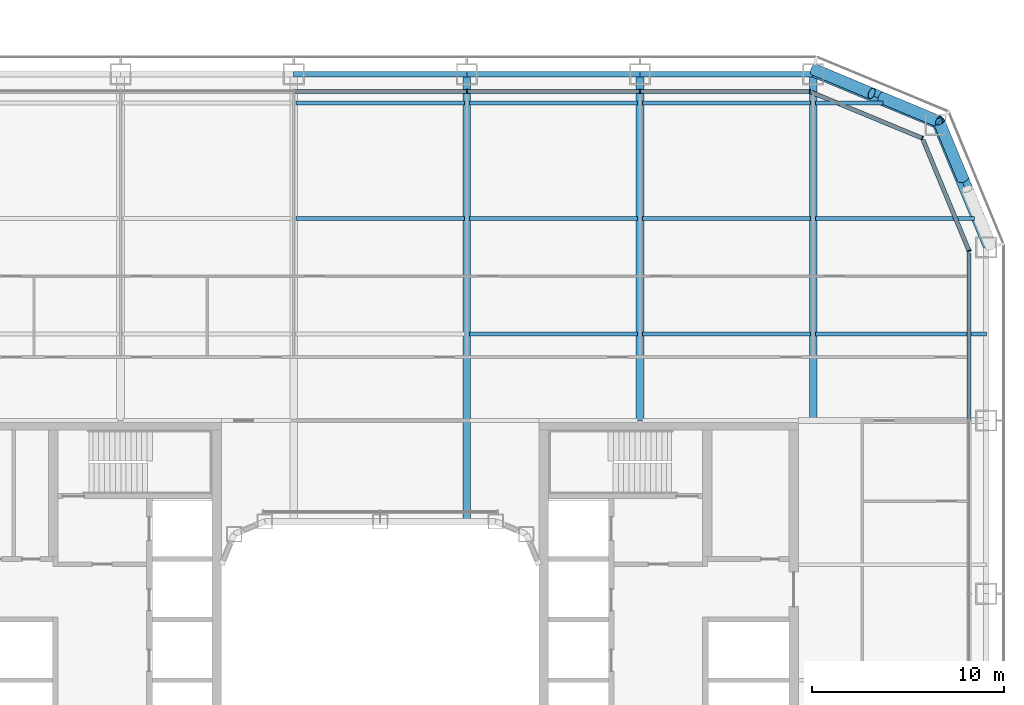
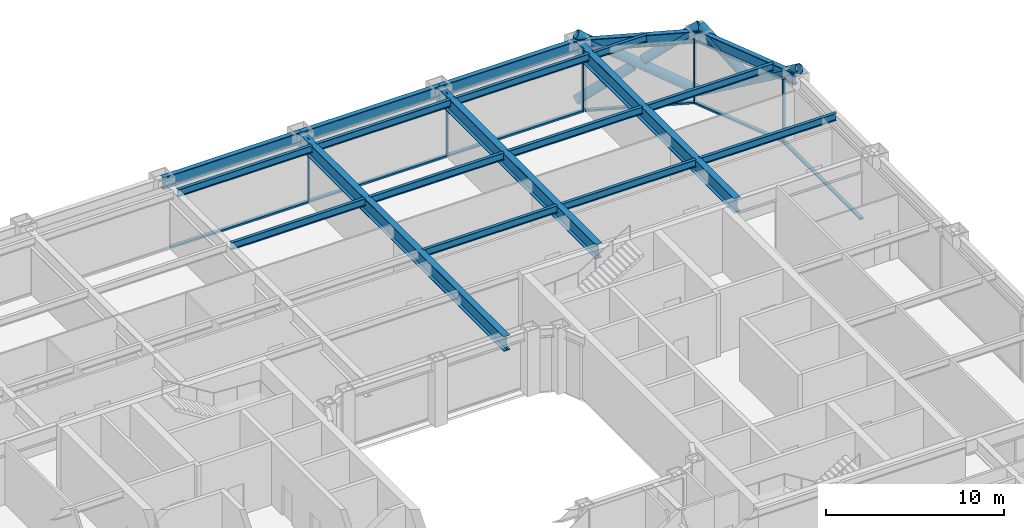
# One storey, part 10 of 29: 19 beams, 16 members, 4 elements without a shape of their own.
"""IFC4 building model written with IfcOpenShell, lengths in metres."""

import ifcopenshell
import ifcopenshell.guid

model = None  # the IFC model being written
_history = None  # IfcOwnerHistory: only IFC2X3 demands one
_inside = {}  # id of a spatial element -> (the spatial element, [elements in it])
_under = {}  # id of a project, library or spatial element -> (it, [spatial elements below it])
_declared = {}  # id of a project -> (the project, [libraries it declares])
_typed = {}  # id of a type object -> (the type object, [elements of that type])
_made_of = {}  # id of a material, layer set ... -> (it, [elements and type objects made of it])


def new_model(schema):
    """Start an empty IFC model of exactly this schema.

    Asked for "IFC4X3", IfcOpenShell would pick the latest addendum, in which some entities
    have other attributes; the version numbers below select the first issue.
    IFC2X3 requires an IfcOwnerHistory on every rooted entity: one is made here for all.
    """
    global model, _history
    if schema == "IFC4X3":
        model = ifcopenshell.file(schema_version=(4, 3, 0, 0))
    else:
        model = ifcopenshell.file(schema=schema)
    _inside.clear()
    _under.clear()
    _declared.clear()
    _typed.clear()
    _made_of.clear()
    _history = None
    if model.schema == "IFC2X3":
        org = make("IfcOrganization", Name="unknown")
        user = make(
            "IfcPersonAndOrganization",
            ThePerson=make("IfcPerson", FamilyName="unknown"),
            TheOrganization=org,
        )
        app = make(
            "IfcApplication",
            ApplicationDeveloper=org,
            Version="unknown",
            ApplicationFullName="unknown",
            ApplicationIdentifier="unknown",
        )
        _history = make(
            "IfcOwnerHistory",
            OwningUser=user,
            OwningApplication=app,
            ChangeAction="ADDED",
            CreationDate=0,
        )
    return model


def make(cls, **values):
    """One entity of the class cls with the attributes given. An attribute that is None is left unset."""
    return model.create_entity(
        cls, **{name: value for name, value in values.items() if value is not None}
    )


def rooted(cls, **values):
    """An entity with a GlobalId (a new one), such as an element, a storey or a relation."""
    return make(cls, GlobalId=ifcopenshell.guid.new(), OwnerHistory=_history, **values)


def si_unit(unit_type, name, prefix=None):
    """IfcSIUnit, for example si_unit("LENGTHUNIT", "METRE", prefix="MILLI")."""
    return make("IfcSIUnit", UnitType=unit_type, Prefix=prefix, Name=name)


def assignment(units):
    """IfcUnitAssignment: the units of a project."""
    return None if units is None else make("IfcUnitAssignment", Units=units)


def point(xyz):
    """IfcCartesianPoint."""
    return None if xyz is None else make("IfcCartesianPoint", Coordinates=xyz)


def direction(xyz):
    """IfcDirection."""
    return None if xyz is None else make("IfcDirection", DirectionRatios=xyz)


def frame(location, z_axis=None, x_axis=None):
    """IfcAxis2Placement3D, a coordinate frame: its origin and axes. An axis left out is left unset."""
    return make(
        "IfcAxis2Placement3D",
        Location=point(location),
        Axis=direction(z_axis),
        RefDirection=direction(x_axis),
    )


def frame_2d(location, x_axis=None):
    """IfcAxis2Placement2D, a coordinate frame in the plane: its origin and x axis."""
    return make(
        "IfcAxis2Placement2D", Location=point(location), RefDirection=direction(x_axis)
    )


def origin():
    """The frame at (0, 0, 0) with its axes left unset."""
    return frame((0.0, 0.0, 0.0))


def origin_2d():
    """The frame at (0, 0) in the plane with its x axis left unset."""
    return frame_2d((0.0, 0.0))


def place(relative_to, where):
    """IfcLocalPlacement: puts the frame where relative to a parent placement (None: the world)."""
    return make(
        "IfcLocalPlacement", PlacementRelTo=relative_to, RelativePlacement=where
    )


def context(
    kind, dimensions, precision=None, world=None, true_north=None, identifier=None
):
    """IfcGeometricRepresentationContext, for example the 3D "Model" context."""
    return make(
        "IfcGeometricRepresentationContext",
        ContextIdentifier=identifier,
        ContextType=kind,
        CoordinateSpaceDimension=dimensions,
        Precision=precision,
        WorldCoordinateSystem=world,
        TrueNorth=true_north,
    )


def subcontext(parent, identifier, kind, view, scale=None):
    """IfcGeometricRepresentationSubContext, for example "Body" below "Model"."""
    return make(
        "IfcGeometricRepresentationSubContext",
        ContextIdentifier=identifier,
        ContextType=kind,
        ParentContext=parent,
        TargetScale=scale,
        TargetView=view,
    )


def project(units=None, contexts=None):
    """IfcProject with its units and contexts."""
    return rooted(
        "IfcProject",
        Name="project",
        RepresentationContexts=contexts,
        UnitsInContext=assignment(units),
    )


def spatial(cls, under=None, at=None, **own):
    """A site, building, storey or space (cls), placed at a placement, below another one or the project."""
    s = rooted(cls, ObjectPlacement=at, **own)
    if under is not None:
        _under.setdefault(under.id(), (under, []))[1].append(s)
    return s


def profile(cls, at=None, kind="AREA", **sizes):
    """A parametric profile (cls). Its sizes go by their IFC names, for example OverallWidth=200.0."""
    return make(cls, ProfileType=kind, Position=at, **sizes)


def rectangle(**sizes):
    """IfcRectangleProfileDef."""
    return profile("IfcRectangleProfileDef", **sizes)


def hollow_circle(**sizes):
    """IfcCircleHollowProfileDef."""
    return profile("IfcCircleHollowProfileDef", **sizes)


def i_section(**sizes):
    """IfcIShapeProfileDef."""
    return profile("IfcIShapeProfileDef", **sizes)


def extrude(swept, where, along, depth):
    """IfcExtrudedAreaSolid: the profile swept, set in the frame where, extruded along a direction by depth."""
    return make(
        "IfcExtrudedAreaSolid",
        SweptArea=swept,
        Position=where,
        ExtrudedDirection=direction(along),
        Depth=depth,
    )


def shape(context_of_items, identifier, shape_type, items):
    """IfcShapeRepresentation: the items that make up one representation, for example the "Body"."""
    return make(
        "IfcShapeRepresentation",
        ContextOfItems=context_of_items,
        RepresentationIdentifier=identifier,
        RepresentationType=shape_type,
        Items=items,
    )


def material(Name=None, Category=None):
    """IfcMaterial."""
    return make("IfcMaterial", Name=Name, Category=Category)


def layer(
    of_material, thickness, ventilated=None, Name=None, Category=None, Priority=None
):
    """IfcMaterialLayer: one layer of a wall or slab, of a material (None: an air gap)."""
    return make(
        "IfcMaterialLayer",
        Material=of_material,
        LayerThickness=thickness,
        IsVentilated=ventilated,
        Name=Name,
        Category=Category,
        Priority=Priority,
    )


def layer_set(layers, Name=None):
    """IfcMaterialLayerSet."""
    return make("IfcMaterialLayerSet", MaterialLayers=layers, LayerSetName=Name)


def material_profile(
    of_material, cross_section, Name=None, Category=None, Priority=None
):
    """IfcMaterialProfile: a cross section and its material."""
    return make(
        "IfcMaterialProfile",
        Name=Name,
        Material=of_material,
        Profile=cross_section,
        Priority=Priority,
        Category=Category,
    )


def profile_set(profiles, Name=None, composite=None):
    """IfcMaterialProfileSet."""
    return make(
        "IfcMaterialProfileSet",
        Name=Name,
        MaterialProfiles=profiles,
        CompositeProfile=composite,
    )


def made_of(thing, what):
    """Note that an element or type object is made of a material, layer set ...; save() writes the relation."""
    if what is not None:
        _made_of.setdefault(what.id(), (what, []))[1].append(thing)
    return thing


def type_object(cls, material=None, **own):
    """A type object (cls), such as IfcWallType, which elements share."""
    return made_of(rooted(cls, **own), material)


def element(
    cls,
    number,
    at=None,
    inside=None,
    cuts=None,
    type_object=None,
    material=None,
    context=None,
    identifier="Body",
    shape_type=None,
    held_by="IfcProductDefinitionShape",
    body=None,
    shapes=None,
    **own,
):
    """One element of the class cls, such as IfcWall. Its Tag is "e" and its number.

    at: its placement. inside: the storey or other place that contains it. cuts: it is an
    opening in that element (IfcRelVoidsElement). A single representation is given by context,
    identifier, shape_type and body (its items); several are given by shapes. held_by: the class
    of the entity that holds the representations. save() writes the other relations.
    """
    e = rooted(cls, Tag="e%d" % number, ObjectPlacement=at, **own)
    if body is not None:
        shapes = [shape(context, identifier, shape_type, body)]
    if shapes is not None:
        e.Representation = make(held_by, Representations=shapes)
    if inside is not None:
        _inside.setdefault(inside.id(), (inside, []))[1].append(e)
    if cuts is not None:
        rooted(
            "IfcRelVoidsElement", RelatingBuildingElement=cuts, RelatedOpeningElement=e
        )
    if type_object is not None:
        _typed.setdefault(type_object.id(), (type_object, []))[1].append(e)
    return made_of(e, material)


def aggregate(whole, parts):
    """IfcRelAggregates: a whole, such as a stair, and the parts it consists of."""
    return rooted("IfcRelAggregates", RelatingObject=whole, RelatedObjects=parts)


def save(model, path):
    """Write the relations noted so far, then the file.

    IfcRelAggregates (storeys below a building ...), IfcRelContainedInSpatialStructure (elements
    in a storey), IfcRelDefinesByType, IfcRelAssociatesMaterial and IfcRelDeclares: one each for
    every whole, place, type object, material and project.
    """
    for whole, parts in _under.values():
        aggregate(whole, parts)
    for where, things in _inside.values():
        rooted(
            "IfcRelContainedInSpatialStructure",
            RelatedElements=things,
            RelatingStructure=where,
        )
    for kind, things in _typed.values():
        rooted("IfcRelDefinesByType", RelatedObjects=things, RelatingType=kind)
    for what, things in _made_of.values():
        rooted("IfcRelAssociatesMaterial", RelatedObjects=things, RelatingMaterial=what)
    for by, libraries in _declared.values():
        rooted("IfcRelDeclares", RelatingContext=by, RelatedDefinitions=libraries)
    model.write(path)


model = new_model("IFC4")

# Units and contexts
model_context = context("Model", 3, precision=1e-05, world=origin(), true_north=direction((0.0, 1.0)))
body_context = subcontext(model_context, "Body", "Model", "MODEL_VIEW")
ifc_project = project(units=[si_unit("LENGTHUNIT", "METRE"), si_unit("AREAUNIT", "SQUARE_METRE"), si_unit("VOLUMEUNIT", "CUBIC_METRE"), si_unit("PLANEANGLEUNIT", "RADIAN"), si_unit("MASSUNIT", "GRAM", prefix="KILO")], contexts=[model_context])

# Site, building, storey
site_placement = place(None, origin())
site = spatial("IfcSite", under=ifc_project, at=site_placement, CompositionType="ELEMENT")
building_placement = place(site_placement, origin())
building = spatial("IfcBuilding", under=site, at=building_placement, Name="Siwar Civic Tower", CompositionType="ELEMENT")
storey_placement = place(building_placement, frame((0.0, 0.0, 49.199951171875)))
storey = spatial("IfcBuildingStorey", under=building, at=storey_placement, Name="L10", CompositionType="ELEMENT", Elevation=49.199951171875)

# Curtain wall, member
ifc_material_1 = material(Name="Aluminium clad insulated panel", Category="aluminium")
ifc_layer_1 = layer(ifc_material_1, 0.219970703125)
ifc_layer_set_1 = layer_set([ifc_layer_1], Name="Aluminium clad insulated panel")
curtain_wall_type_1 = type_object("IfcCurtainWallType", Name="ENV-CW-AX", PredefinedType="NOTDEFINED", material=ifc_layer_set_1)
curtain_wall_1_placement = place(storey_placement, origin())
curtain_wall_1 = element("IfcCurtainWall", 1, at=curtain_wall_1_placement, inside=storey, type_object=curtain_wall_type_1, Name="Curtain wall A NE1", PredefinedType="NOTDEFINED")
ifc_material_2 = material(Name="Aluminium 6063-T6", Category="aluminium")
ifc_material_profile_1 = material_profile(ifc_material_2, rectangle(XDim=0.219970703125, YDim=0.070068359375, at=origin_2d()), Name="AL 220x70")
ifc_profile_set_1 = profile_set([ifc_material_profile_1], Name="Aluminium 6063-T6")
member_type_1 = type_object("IfcMemberType", Name="ENV-MULLION-A", PredefinedType="MULLION", material=ifc_profile_set_1)
member_1_placement = place(storey_placement, frame((30.60009765625, 22.321044921875, 0.0), z_axis=(0.0, 0.0, 1.0), x_axis=(-0.923879532511, -0.382683432365, 0.0)))
member_1 = element("IfcMember", 2, at=member_1_placement, type_object=member_type_1, Name="Mullion A NE1 1", PredefinedType="MULLION", context=body_context, shape_type="SweptSolid", body=[
    extrude(rectangle(XDim=0.219970703125, YDim=0.070068359375, at=origin_2d()), origin(), (0.0, 0.0, 1.0), 4.35009765625),
])

curtain_wall_2_placement = place(storey_placement, origin())
curtain_wall_2 = element("IfcCurtainWall", 3, at=curtain_wall_2_placement, inside=storey, type_object=curtain_wall_type_1, Name="Curtain wall A NE2", PredefinedType="NOTDEFINED")
member_2_placement = place(storey_placement, frame((28.175048828125, 28.175048828125, 0.0), z_axis=(0.0, 0.0, 1.0), x_axis=(-0.382683432365, -0.923879532511, 0.0)))
member_2 = element("IfcMember", 4, at=member_2_placement, type_object=member_type_1, Name="Mullion A NE2 1", PredefinedType="MULLION", context=body_context, shape_type="SweptSolid", body=[
    extrude(rectangle(XDim=0.219970703125, YDim=0.070068359375, at=origin_2d()), origin(), (0.0, 0.0, 1.0), 4.35009765625),
])

# Curtain wall, members
ifc_material_3 = material(Name="Aluminium and glass", Category="aluminium")
ifc_layer_2 = layer(ifc_material_3, 0.219970703125)
ifc_layer_set_2 = layer_set([ifc_layer_2], Name="Aluminium and glass")
curtain_wall_type_2 = type_object("IfcCurtainWallType", Name="ENV-CW-A", PredefinedType="NOTDEFINED", material=ifc_layer_set_2)
curtain_wall_3_placement = place(storey_placement, origin())
curtain_wall_3 = element("IfcCurtainWall", 5, at=curtain_wall_3_placement, inside=storey, type_object=curtain_wall_type_2, Name="Curtain wall A N", PredefinedType="NOTDEFINED")
member_3_placement = place(storey_placement, frame((22.321044921875, 30.60009765625, 0.0), z_axis=(0.0, 0.0, 1.0), x_axis=(0.0, -1.0, 0.0)))
member_3 = element("IfcMember", 6, at=member_3_placement, type_object=member_type_1, Name="Mullion A N 1", PredefinedType="MULLION", context=body_context, shape_type="SweptSolid", body=[
    extrude(rectangle(XDim=0.219970703125, YDim=0.070068359375, at=origin_2d()), origin(), (0.0, 0.0, 1.0), 4.35009765625),
])
member_4_placement = place(storey_placement, frame((13.5, 30.60009765625, 0.0), z_axis=(0.0, 0.0, 1.0), x_axis=(0.0, -1.0, 0.0)))
member_4 = element("IfcMember", 7, at=member_4_placement, type_object=member_type_1, Name="Mullion A N 2", PredefinedType="MULLION", context=body_context, shape_type="SweptSolid", body=[
    extrude(rectangle(XDim=0.219970703125, YDim=0.070068359375, at=origin_2d()), origin(), (0.0, 0.0, 1.0), 4.35009765625),
])
member_5_placement = place(storey_placement, frame((4.5, 30.60009765625, 0.0), z_axis=(0.0, 0.0, 1.0), x_axis=(0.0, -1.0, 0.0)))
member_5 = element("IfcMember", 8, at=member_5_placement, type_object=member_type_1, Name="Mullion A N 3", PredefinedType="MULLION", context=body_context, shape_type="SweptSolid", body=[
    extrude(rectangle(XDim=0.219970703125, YDim=0.070068359375, at=origin_2d()), origin(), (0.0, 0.0, 1.0), 4.35009765625),
])

# Curtain wall, member
curtain_wall_4_placement = place(storey_placement, origin())
curtain_wall_4 = element("IfcCurtainWall", 9, at=curtain_wall_4_placement, inside=storey, type_object=curtain_wall_type_2, Name="Curtain wall A E", PredefinedType="NOTDEFINED")
ifc_material_4 = material(Name="Aluminium 6063-T6", Category="aluminium")
ifc_material_profile_2 = material_profile(ifc_material_4, rectangle(XDim=0.219970703125, YDim=0.1201171875, at=origin_2d()), Name="AL 220x120")
ifc_profile_set_2 = profile_set([ifc_material_profile_2], Name="Aluminium 6063-T6")
member_type_2 = type_object("IfcMemberType", Name="ENV-TRANSOM-A", PredefinedType="USERDEFINED", material=ifc_profile_set_2)
member_6_placement = place(storey_placement, frame((30.60009765625, 13.534912109375, 0.06005859375), z_axis=(0.0, 1.0, 0.0), x_axis=(-1.0, 0.0, 0.0)))
member_6 = element("IfcMember", 10, at=member_6_placement, type_object=member_type_2, Name="Transom A E 5", ObjectType="TRANSOM", PredefinedType="USERDEFINED", context=body_context, shape_type="SweptSolid", body=[
    extrude(rectangle(XDim=0.219970703125, YDim=0.1201171875, at=origin_2d()), origin(), (0.0, 0.0, 1.0), 8.66357421875),
])
aggregate(curtain_wall_4, [member_6])

# Member
member_7_placement = place(storey_placement, frame((30.586669921875, 22.353271484375, 0.06005859375), z_axis=(-0.382698415042, 0.923873326341, 0.0), x_axis=(-0.923873326341, -0.382698415042, 0.0)))
member_7 = element("IfcMember", 11, at=member_7_placement, type_object=member_type_2, Name="Transom A NE1 1", ObjectType="TRANSOM", PredefinedType="USERDEFINED", context=body_context, shape_type="SweptSolid", body=[
    extrude(rectangle(XDim=0.219970703125, YDim=0.1201171875, at=origin_2d()), origin(), (0.0, 0.0, 1.0), 6.17919921875),
])

aggregate(curtain_wall_1, [member_1, member_7])

member_8_placement = place(storey_placement, frame((28.142822265625, 28.1884765625, 0.06005859375), z_axis=(-0.923873326341, 0.382698415042, 0.0), x_axis=(-0.382698415042, -0.923873326341, 0.0)))
member_8 = element("IfcMember", 12, at=member_8_placement, type_object=member_type_2, Name="Transom A NE2 1", ObjectType="TRANSOM", PredefinedType="USERDEFINED", context=body_context, shape_type="SweptSolid", body=[
    extrude(rectangle(XDim=0.219970703125, YDim=0.1201171875, at=origin_2d()), origin(), (0.0, 0.0, 1.0), 6.17919921875),
])

aggregate(curtain_wall_2, [member_2, member_8])

member_9_placement = place(storey_placement, frame((22.285888671875, 30.60009765625, 0.06005859375), z_axis=(-1.0, 0.0, 0.0), x_axis=(0.0, -1.0, 0.0)))
member_9 = element("IfcMember", 13, at=member_9_placement, type_object=member_type_2, Name="Transom A N 1", ObjectType="TRANSOM", PredefinedType="USERDEFINED", context=body_context, shape_type="SweptSolid", body=[
    extrude(rectangle(XDim=0.219970703125, YDim=0.1201171875, at=origin_2d()), origin(), (0.0, 0.0, 1.0), 8.7509765625),
])

member_10_placement = place(storey_placement, frame((13.465087890625, 30.60009765625, 0.06005859375), z_axis=(-1.0, 0.0, 0.0), x_axis=(0.0, -1.0, 0.0)))
member_10 = element("IfcMember", 14, at=member_10_placement, type_object=member_type_2, Name="Transom A N 2", ObjectType="TRANSOM", PredefinedType="USERDEFINED", context=body_context, shape_type="SweptSolid", body=[
    extrude(rectangle(XDim=0.219970703125, YDim=0.1201171875, at=origin_2d()), origin(), (0.0, 0.0, 1.0), 8.93017578125),
])

member_11_placement = place(storey_placement, frame((4.465087890625, 30.60009765625, 0.06005859375), z_axis=(-1.0, 0.0, 0.0), x_axis=(0.0, -1.0, 0.0)))
member_11 = element("IfcMember", 15, at=member_11_placement, type_object=member_type_2, Name="Transom A N 3", ObjectType="TRANSOM", PredefinedType="USERDEFINED", context=body_context, shape_type="SweptSolid", body=[
    extrude(rectangle(XDim=0.219970703125, YDim=0.1201171875, at=origin_2d()), origin(), (0.0, 0.0, 1.0), 8.93017578125),
])

aggregate(curtain_wall_3, [member_3, member_4, member_5, member_9, member_10, member_11])

# Members
ifc_material_5 = material(Name="Steel S355", Category="steel")
ifc_material_profile_3 = material_profile(ifc_material_5, hollow_circle(Radius=0.304931640625, WallThickness=0.030029296875, at=origin_2d()), Name="CHS610x30")
ifc_profile_set_3 = profile_set([ifc_material_profile_3], Name="Steel S355")
member_type_3 = type_object("IfcMemberType", Name="STR-BR-CHS610x30", PredefinedType="BRACE", material=ifc_profile_set_3)
member_12_placement = place(storey_placement, frame((29.040771484375, 29.040771484375, 0.0), z_axis=(-0.777554562952, 0.323905527954, 0.538975055633), x_axis=(-0.384538969033, -0.923108759191, 0.0)))
element("IfcMember", 16, at=member_12_placement, inside=storey, type_object=member_type_3, Name="L10/brc/ANE1-9-0-1", PredefinedType="BRACE", context=body_context, shape_type="SweptSolid", body=[
    extrude(hollow_circle(Radius=0.304931640625, WallThickness=0.030029296875, at=origin_2d()), origin(), (0.0, 0.0, 1.0), 8.34912109375),
])
member_13_placement = place(storey_placement, frame((22.548828125, 31.7451171875, 0.0), z_axis=(0.777533059308, -0.323882123145, 0.539020140617), x_axis=(0.384524353215, 0.923114847559, 0.0)))
element("IfcMember", 17, at=member_13_placement, inside=storey, type_object=member_type_3, Name="L10/brc/ANE1-9-0-2", PredefinedType="BRACE", context=body_context, shape_type="SweptSolid", body=[
    extrude(hollow_circle(Radius=0.304931640625, WallThickness=0.030029296875, at=origin_2d()), origin(), (0.0, 0.0, 1.0), 3.843505859375),
])
member_14_placement = place(storey_placement, frame((26.052001953125, 30.285888671875, 2.428466796875), z_axis=(0.777568797048, -0.323934068367, 0.538937366685), x_axis=(0.384561842466, 0.923099230484, 0.0)))
element("IfcMember", 18, at=member_14_placement, inside=storey, type_object=member_type_3, Name="L10/brc/ANE1-9-0-3", PredefinedType="BRACE", context=body_context, shape_type="SweptSolid", body=[
    extrude(hollow_circle(Radius=0.304931640625, WallThickness=0.030029296875, at=origin_2d()), origin(), (0.0, 0.0, 1.0), 3.84375),
])
member_15_placement = place(storey_placement, frame((29.040771484375, 29.040771484375, 0.0), z_axis=(0.323905527954, -0.777554562952, 0.538975055633), x_axis=(0.923108759191, 0.384538969033, 0.0)))
element("IfcMember", 19, at=member_15_placement, inside=storey, type_object=member_type_3, Name="L10/brc/ANE1-9-0-0", PredefinedType="BRACE", context=body_context, shape_type="SweptSolid", body=[
    extrude(hollow_circle(Radius=0.304931640625, WallThickness=0.030029296875, at=origin_2d()), origin(), (0.0, 0.0, 1.0), 8.34912109375),
])
member_16_placement = place(storey_placement, frame((30.285888671875, 26.052001953125, 2.428466796875), z_axis=(-0.323934068367, 0.777568797048, 0.538937366685), x_axis=(-0.923099230484, -0.384561842466, 0.0)))
element("IfcMember", 20, at=member_16_placement, inside=storey, type_object=member_type_3, Name="L10/brc/ANE1-9-0-5", PredefinedType="BRACE", context=body_context, shape_type="SweptSolid", body=[
    extrude(hollow_circle(Radius=0.304931640625, WallThickness=0.030029296875, at=origin_2d()), origin(), (0.0, 0.0, 1.0), 3.84375),
])

# Beams
ifc_material_6 = material(Name="Steel S355", Category="steel")
ifc_material_profile_4 = material_profile(ifc_material_6, i_section(OverallWidth=0.199951171875, OverallDepth=0.5, WebThickness=0.01025390625, FlangeThickness=0.01611328125, FilletRadius=0.02099609375, at=origin_2d()), Name="IPE500")
ifc_profile_set_4 = profile_set([ifc_material_profile_4], Name="Steel S355")
beam_type_1 = type_object("IfcBeamType", Name="STR-FB-IPE500", PredefinedType="JOIST", material=ifc_profile_set_4)
for number, where, z_axis, x_axis, name in (
    (21, (4.6298828125, 18.0, 4.10009765625), (1.0, 0.0, 0.0), (0.0, 1.0, 0.0), "L10/bm/F050"),
    (22, (13.6298828125, 18.0, 4.10009765625), (1.0, 0.0, 0.0), (0.0, 1.0, 0.0), "L10/bm/F051"),
):
    element("IfcBeam", number, at=place(storey_placement, frame(where, z_axis=z_axis, x_axis=x_axis)), inside=storey, type_object=beam_type_1, Name=name, PredefinedType="JOIST", context=body_context, shape_type="SweptSolid", body=[
        extrude(i_section(OverallWidth=0.199951171875, OverallDepth=0.5, WebThickness=0.01025390625, FlangeThickness=0.01611328125, FilletRadius=0.02099609375, at=origin_2d()), origin(), (0.0, 0.0, 1.0), 8.740234375),
    ])
beam_1_placement = place(storey_placement, frame((22.6298828125, 18.0, 4.10009765625), z_axis=(1.0, 0.0, 0.0), x_axis=(0.0, 1.0, 0.0)))
element("IfcBeam", 23, at=beam_1_placement, inside=storey, type_object=beam_type_1, Name="L10/bm/F052", PredefinedType="JOIST", context=body_context, shape_type="SweptSolid", body=[
    extrude(i_section(OverallWidth=0.199951171875, OverallDepth=0.5, WebThickness=0.01025390625, FlangeThickness=0.01611328125, FilletRadius=0.02099609375, at=origin_2d()), origin(), (0.0, 0.0, 1.0), 8.8701171875),
])
for number, where, z_axis, x_axis, name in (
    (24, (-4.3701171875, 24.0, 4.10009765625), (1.0, 0.0, 0.0), (0.0, 1.0, 0.0), "L10/bm/F056"),
    (25, (4.6298828125, 24.0, 4.10009765625), (1.0, 0.0, 0.0), (0.0, 1.0, 0.0), "L10/bm/F057"),
    (26, (13.6298828125, 24.0, 4.10009765625), (1.0, 0.0, 0.0), (0.0, 1.0, 0.0), "L10/bm/F058"),
):
    element("IfcBeam", number, at=place(storey_placement, frame(where, z_axis=z_axis, x_axis=x_axis)), inside=storey, type_object=beam_type_1, Name=name, PredefinedType="JOIST", context=body_context, shape_type="SweptSolid", body=[
        extrude(i_section(OverallWidth=0.199951171875, OverallDepth=0.5, WebThickness=0.01025390625, FlangeThickness=0.01611328125, FilletRadius=0.02099609375, at=origin_2d()), origin(), (0.0, 0.0, 1.0), 8.740234375),
    ])
beam_2_placement = place(storey_placement, frame((22.6298828125, 24.0, 4.10009765625), z_axis=(1.0, 0.0, 0.0), x_axis=(0.0, 1.0, 0.0)))
element("IfcBeam", 27, at=beam_2_placement, inside=storey, type_object=beam_type_1, Name="L10/bm/F059", PredefinedType="JOIST", context=body_context, shape_type="SweptSolid", body=[
    extrude(i_section(OverallWidth=0.199951171875, OverallDepth=0.5, WebThickness=0.01025390625, FlangeThickness=0.01611328125, FilletRadius=0.02099609375, at=origin_2d()), origin(), (0.0, 0.0, 1.0), 8.248779296875),
])
for number, where, z_axis, x_axis, name in (
    (28, (-4.3701171875, 30.0, 4.10009765625), (1.0, 0.0, 0.0), (0.0, 1.0, 0.0), "L10/bm/F063"),
    (29, (4.6298828125, 30.0, 4.10009765625), (1.0, 0.0, 0.0), (0.0, 1.0, 0.0), "L10/bm/F064"),
    (30, (13.6298828125, 30.0, 4.10009765625), (1.0, 0.0, 0.0), (0.0, 1.0, 0.0), "L10/bm/F065"),
):
    element("IfcBeam", number, at=place(storey_placement, frame(where, z_axis=z_axis, x_axis=x_axis)), inside=storey, type_object=beam_type_1, Name=name, PredefinedType="JOIST", context=body_context, shape_type="SweptSolid", body=[
        extrude(i_section(OverallWidth=0.199951171875, OverallDepth=0.5, WebThickness=0.01025390625, FlangeThickness=0.01611328125, FilletRadius=0.02099609375, at=origin_2d()), origin(), (0.0, 0.0, 1.0), 8.740234375),
    ])
beam_3_placement = place(storey_placement, frame((22.6298828125, 30.0, 4.10009765625), z_axis=(1.0, 0.0, 0.0), x_axis=(0.0, 1.0, 0.0)))
element("IfcBeam", 31, at=beam_3_placement, inside=storey, type_object=beam_type_1, Name="L10/bm/F066", PredefinedType="JOIST", context=body_context, shape_type="SweptSolid", body=[
    extrude(i_section(OverallWidth=0.199951171875, OverallDepth=0.5, WebThickness=0.01025390625, FlangeThickness=0.01611328125, FilletRadius=0.02099609375, at=origin_2d()), origin(), (0.0, 0.0, 1.0), 3.491455078125),
])
ifc_material_7 = material(Name="Steel S355", Category="steel")
ifc_material_profile_5 = material_profile(ifc_material_7, i_section(OverallWidth=0.39990234375, OverallDepth=1.0, WebThickness=0.01611328125, FlangeThickness=0.0400390625, at=origin_2d()), Name="PG1000x400x16x40")
ifc_profile_set_5 = profile_set([ifc_material_profile_5], Name="Steel S355")
beam_type_2 = type_object("IfcBeamType", Name="STR-PG-PG1000x400x16x40", PredefinedType="BEAM", material=ifc_profile_set_5)
beam_4_placement = place(storey_placement, frame((4.5, 8.25, 3.85009765625), z_axis=(0.0, 1.0, 0.0), x_axis=(-1.0, 0.0, 0.0)))
element("IfcBeam", 32, at=beam_4_placement, inside=storey, type_object=beam_type_2, Name="L10/bm/G08", PredefinedType="BEAM", context=body_context, shape_type="SweptSolid", body=[
    extrude(i_section(OverallWidth=0.39990234375, OverallDepth=1.0, WebThickness=0.01611328125, FlangeThickness=0.0400390625, at=origin_2d()), origin(), (0.0, 0.0, 1.0), 23.25),
])
for number, where, z_axis, x_axis, name in (
    (33, (13.5, 13.5, 3.85009765625), (0.0, 1.0, 0.0), (-1.0, 0.0, 0.0), "L10/bm/G10"),
    (34, (22.5, 13.5, 3.85009765625), (0.0, 1.0, 0.0), (-1.0, 0.0, 0.0), "L10/bm/G12"),
):
    element("IfcBeam", number, at=place(storey_placement, frame(where, z_axis=z_axis, x_axis=x_axis)), inside=storey, type_object=beam_type_2, Name=name, PredefinedType="BEAM", context=body_context, shape_type="SweptSolid", body=[
        extrude(i_section(OverallWidth=0.39990234375, OverallDepth=1.0, WebThickness=0.01611328125, FlangeThickness=0.0400390625, at=origin_2d()), origin(), (0.0, 0.0, 1.0), 18.0),
    ])
ifc_material_8 = material(Name="Steel S355", Category="steel")
ifc_material_profile_6 = material_profile(ifc_material_8, i_section(OverallWidth=0.302978515625, OverallDepth=0.81396484375, WebThickness=0.02099609375, FlangeThickness=0.0400390625, FilletRadius=0.030029296875, at=origin_2d()), Name="HEM800")
ifc_profile_set_6 = profile_set([ifc_material_profile_6], Name="Steel S355")
beam_type_3 = type_object("IfcBeamType", Name="STR-SB-HEM800", PredefinedType="BEAM", material=ifc_profile_set_6)
for number, where, z_axis, x_axis, name in (
    (35, (31.5, 22.5, 3.943115234375), (-0.382674207535, 0.923883353507, 0.0), (-0.923883353507, -0.382674207535, 0.0), "L10/bm/SNE1-0"),
    (36, (28.864013671875, 28.864013671875, 3.943115234375), (-0.923883353507, 0.382674207535, 0.0), (-0.382674207535, -0.923883353507, 0.0), "L10/bm/SNE2-0"),
):
    element("IfcBeam", number, at=place(storey_placement, frame(where, z_axis=z_axis, x_axis=x_axis)), inside=storey, type_object=beam_type_3, Name=name, PredefinedType="BEAM", context=body_context, shape_type="SweptSolid", body=[
        extrude(i_section(OverallWidth=0.302978515625, OverallDepth=0.81396484375, WebThickness=0.02099609375, FlangeThickness=0.0400390625, FilletRadius=0.030029296875, at=origin_2d()), origin(), (0.0, 0.0, 1.0), 6.888427734375),
    ])
for number, where, z_axis, x_axis, name in (
    (37, (22.5, 31.5, 3.943115234375), (-1.0, 0.0, 0.0), (0.0, -1.0, 0.0), "L10/bm/SN-0"),
    (38, (13.5, 31.5, 3.943115234375), (-1.0, 0.0, 0.0), (0.0, -1.0, 0.0), "L10/bm/SN-1"),
    (39, (4.5, 31.5, 3.943115234375), (-1.0, 0.0, 0.0), (0.0, -1.0, 0.0), "L10/bm/SN-2"),
):
    element("IfcBeam", number, at=place(storey_placement, frame(where, z_axis=z_axis, x_axis=x_axis)), inside=storey, type_object=beam_type_3, Name=name, PredefinedType="BEAM", context=body_context, shape_type="SweptSolid", body=[
        extrude(i_section(OverallWidth=0.302978515625, OverallDepth=0.81396484375, WebThickness=0.02099609375, FlangeThickness=0.0400390625, FilletRadius=0.030029296875, at=origin_2d()), origin(), (0.0, 0.0, 1.0), 9.0),
    ])

save(model, "model.ifc")
